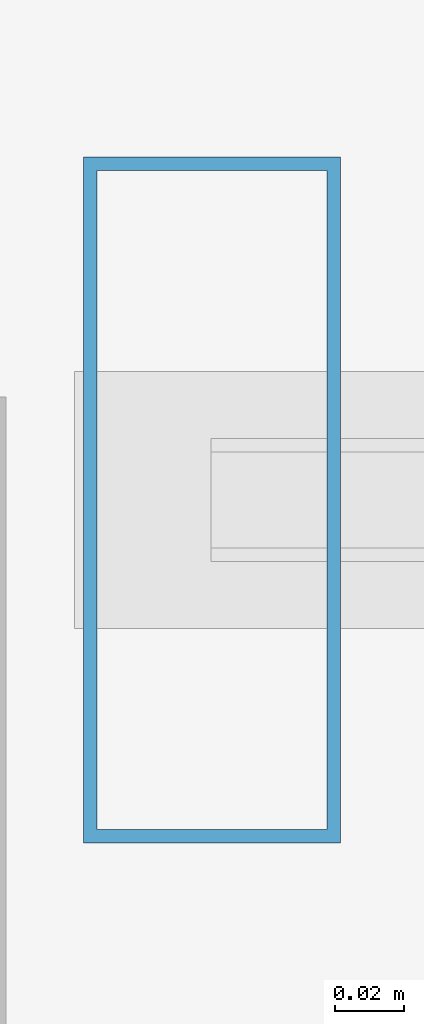
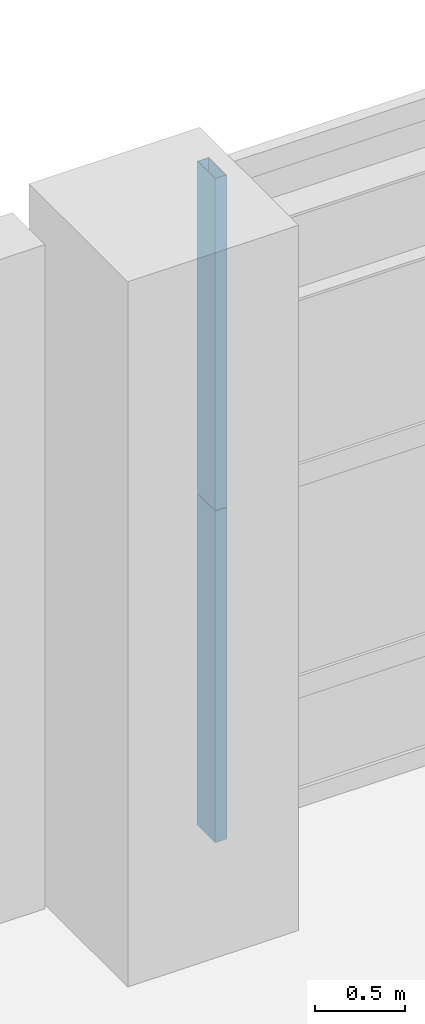
# One storey, part 17 of 37: 2 members, 1 element without a shape of its own.
"""IFC4 building model written with IfcOpenShell, lengths in metres."""

from ifc_helpers import new_model, si_unit, direction, frame, origin, origin_2d, place, context, subcontext, project, spatial, hollow_rectangle, extrude, source, transform, mapped, material, layer, layer_set, material_profile, profile_set, type_object, element, aggregate, save


model = new_model("IFC4")

# Units and contexts
model_context = context("Model", 3, precision=1e-05, world=origin(), true_north=direction((0.0, 1.0)))
body_context = subcontext(model_context, "Body", "Model", "MODEL_VIEW")
ifc_project = project(units=[si_unit("LENGTHUNIT", "METRE"), si_unit("AREAUNIT", "SQUARE_METRE"), si_unit("VOLUMEUNIT", "CUBIC_METRE"), si_unit("PLANEANGLEUNIT", "RADIAN"), si_unit("MASSUNIT", "GRAM", prefix="KILO"), si_unit("THERMODYNAMICTEMPERATUREUNIT", "KELVIN"), si_unit("POWERUNIT", "WATT")], contexts=[model_context])

# Site, building, storey
site_placement = place(None, origin())
site = spatial("IfcSite", under=ifc_project, at=site_placement, CompositionType="ELEMENT")
building_placement = place(site_placement, origin())
building = spatial("IfcBuilding", under=site, at=building_placement, Name="Yuzanri Waterfront Tower", CompositionType="ELEMENT")
storey_placement = place(building_placement, frame((0.0, 0.0, 5.39990234375)))
storey = spatial("IfcBuildingStorey", under=building, at=storey_placement, Name="L02", CompositionType="ELEMENT", Elevation=5.39990234375)

# Curtain wall, members
ifc_material_1 = material(Name="Anodized Architectural Bronze", Category="metal")
ifc_layer = layer(ifc_material_1, 0.159912109375)
ifc_layer_set = layer_set([ifc_layer], Name="Anodized Architectural Bronze")
curtain_wall_type = type_object("IfcCurtainWallType", Name="Anodized Bronze Podium Waterfront Double-Height Unitized Curtain Wall 8400", PredefinedType="NOTDEFINED", material=ifc_layer_set)
curtain_wall_placement = place(storey_placement, origin())
curtain_wall = element("IfcCurtainWall", 1, at=curtain_wall_placement, inside=storey, type_object=curtain_wall_type, Name="L02 Curtain Wall CW-L02-N1", PredefinedType="NOTDEFINED")
ifc_material_2 = material(Name="Anodized Architectural Bronze", Category="metal")
ifc_material_profile = material_profile(ifc_material_2, hollow_rectangle(XDim=0.074951171875, YDim=0.199951171875, WallThickness=0.00390625, at=origin_2d()), Name="CWM 75x200")
ifc_profile_set = profile_set([ifc_material_profile], Name="Anodized Architectural Bronze")
member_type = type_object("IfcMemberType", Name="Anodized Bronze Primary Curtain-Wall Mullion 75x200", PredefinedType="MULLION", material=ifc_profile_set)
shared_shape_1 = source(origin(), body_context, "Body", "SweptSolid", [
    extrude(hollow_rectangle(XDim=0.074951171875, YDim=0.199951171875, WallThickness=0.00390625, at=origin_2d()), origin(), (0.0, 0.0, 1.0), 2.258056640625),
])
member_1_placement = place(storey_placement, frame((16.110107421875, 49.6201171875, 0.0), z_axis=(0.0, 0.0, 1.0), x_axis=(1.0, 0.0, 0.0)))
member_1 = element("IfcMember", 2, at=member_1_placement, type_object=member_type, Name="CW-L02-N1 Lower Mullion 00", PredefinedType="MULLION", context=body_context, shape_type="MappedRepresentation", body=[
    mapped(shared_shape_1, transform((0.0, 0.0, 0.0), scale=1.0)),
])
shared_shape_2 = source(origin(), body_context, "Body", "SweptSolid", [
    extrude(hollow_rectangle(XDim=0.074951171875, YDim=0.199951171875, WallThickness=0.00390625, at=origin_2d()), origin(), (0.0, 0.0, 1.0), 2.2578125),
])
member_2_placement = place(storey_placement, frame((16.110107421875, 49.6201171875, 2.26220703125), z_axis=(0.0, 0.0, 1.0), x_axis=(1.0, 0.0, 0.0)))
member_2 = element("IfcMember", 3, at=member_2_placement, type_object=member_type, Name="CW-L02-N1 Upper Mullion 00", PredefinedType="MULLION", context=body_context, shape_type="MappedRepresentation", body=[
    mapped(shared_shape_2, transform((0.0, 0.0, 0.0), scale=1.0)),
])
aggregate(curtain_wall, [member_1, member_2])

save(model, "model.ifc")
